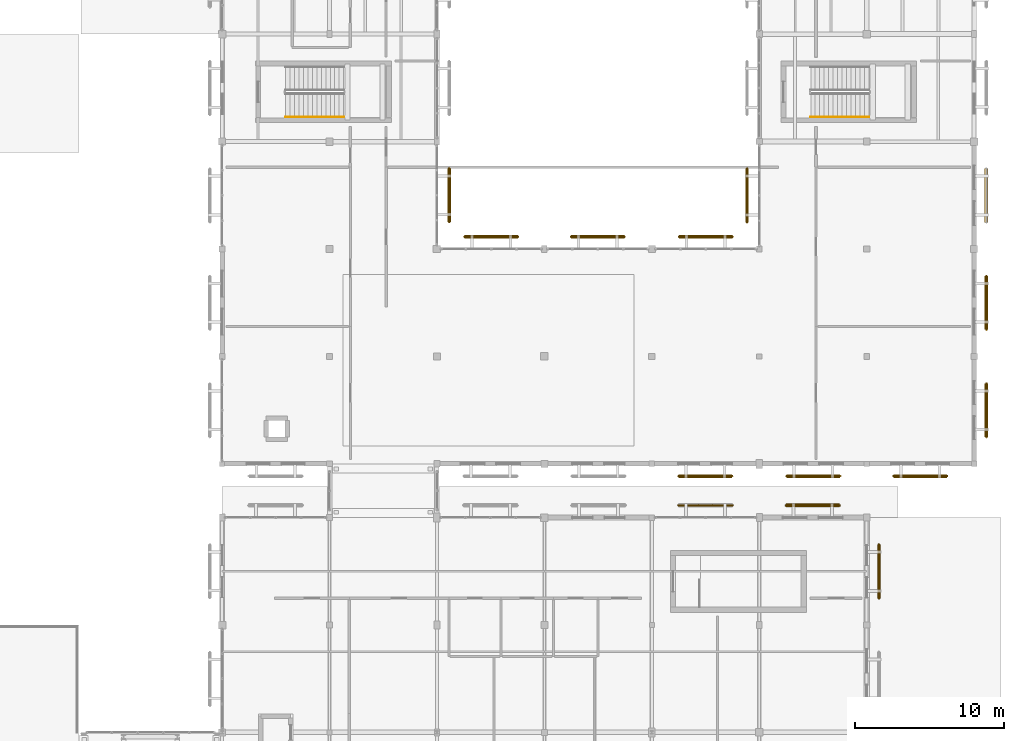
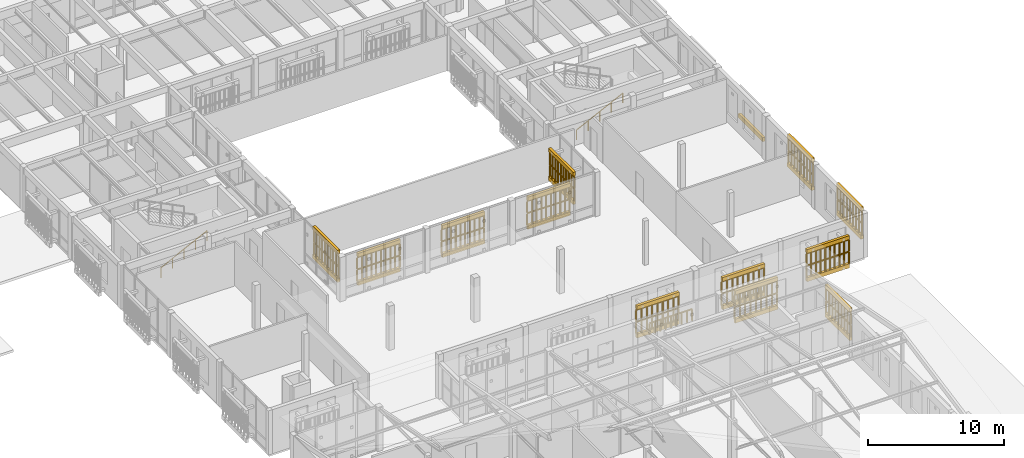
# One storey, part 107 of 112: 27 railings, 25 coverings.
"""IFC4 building model written with IfcOpenShell, lengths in metres."""

from ifc_helpers import new_model, si_unit, direction, frame, origin, origin_2d, place, context, subcontext, project, spatial, polyline, circle, outline, extrude, material, layer, layer_set, type_object, element, save


model = new_model("IFC4")

# Units and contexts
model_context = context("Model", 3, precision=1e-05, world=origin(), true_north=direction((0.0, 1.0)))
body_context = subcontext(model_context, "Body", "Model", "MODEL_VIEW")
ifc_project = project(units=[si_unit("LENGTHUNIT", "METRE"), si_unit("AREAUNIT", "SQUARE_METRE"), si_unit("VOLUMEUNIT", "CUBIC_METRE"), si_unit("PLANEANGLEUNIT", "RADIAN"), si_unit("MASSUNIT", "GRAM", prefix="KILO")], contexts=[model_context])

# Site, building, storey
site_placement = place(None, origin())
site = spatial("IfcSite", under=ifc_project, at=site_placement, CompositionType="ELEMENT")
building_placement = place(site_placement, origin())
building = spatial("IfcBuilding", under=site, at=building_placement, Name="Mazaris Harbour Polytechnic", CompositionType="ELEMENT")
storey_placement = place(building_placement, frame((0.0, 0.0, 13.800048828125)))
storey = spatial("IfcBuildingStorey", under=building, at=storey_placement, Name="L03", CompositionType="ELEMENT", Elevation=13.800048828125)

# Railings
ifc_material_1 = material(Name="Perforated Earth-Coloured Terracotta Block", Category="masonry")
railing_type_1 = type_object("IfcRailingType", Name="Perforated Earth-Block Claustra Lattice 1040", PredefinedType="BALUSTRADE", material=ifc_material_1)
for number, where, name in (
    (1, (152.9951171875, 44.02001953125, 1.60986328125), "V2 L03 Upper Perforated Terracotta Block Screen 98"),
    (2, (160.18505859375, 44.02001953125, 0.52001953125), "V2 L03 Lower Perforated Terracotta Block Screen 99"),
    (3, (160.18505859375, 44.02001953125, 1.60986328125), "V2 L03 Upper Perforated Terracotta Block Screen 99"),
):
    element("IfcRailing", number, at=place(storey_placement, frame(where)), inside=storey, type_object=railing_type_1, Name=name, PredefinedType="BALUSTRADE", context=body_context, shape_type="SweptSolid", body=[
        extrude(circle(Radius=0.06982421875, at=origin_2d()), frame((0.0, 0.0, 1.02001953125), z_axis=(1.0, 0.0, 0.0), x_axis=(0.0, 1.0, 0.0)), (0.0, 0.0, 1.0), 3.599853515625),
        extrude(circle(Radius=0.074951171875, at=origin_2d()), origin(), (0.0, 0.0, 1.0), 0.9501953125),
        extrude(circle(Radius=0.074951171875, at=origin_2d()), frame((0.449951171875, 0.0, 0.0)), (0.0, 0.0, 1.0), 0.9501953125),
        extrude(circle(Radius=0.074951171875, at=origin_2d()), frame((0.89990234375, 0.0, 0.0)), (0.0, 0.0, 1.0), 0.9501953125),
        extrude(circle(Radius=0.074951171875, at=origin_2d()), frame((1.349853515625, 0.0, 0.0)), (0.0, 0.0, 1.0), 0.9501953125),
        extrude(circle(Radius=0.074951171875, at=origin_2d()), frame((1.7998046875, 0.0, 0.0)), (0.0, 0.0, 1.0), 0.9501953125),
        extrude(circle(Radius=0.074951171875, at=origin_2d()), frame((2.25, 0.0, 0.0)), (0.0, 0.0, 1.0), 0.9501953125),
        extrude(circle(Radius=0.074951171875, at=origin_2d()), frame((2.699951171875, 0.0, 0.0)), (0.0, 0.0, 1.0), 0.9501953125),
        extrude(circle(Radius=0.074951171875, at=origin_2d()), frame((3.14990234375, 0.0, 0.0)), (0.0, 0.0, 1.0), 0.9501953125),
        extrude(circle(Radius=0.074951171875, at=origin_2d()), frame((3.599853515625, 0.0, 0.0)), (0.0, 0.0, 1.0), 0.9501953125),
    ])
for number, where, name in (
    (4, (166.419921875, 41.389892578125, 0.52001953125), "V2 L03 Lower Perforated Terracotta Block Screen 106"),
    (5, (166.419921875, 41.389892578125, 1.60986328125), "V2 L03 Upper Perforated Terracotta Block Screen 106"),
):
    element("IfcRailing", number, at=place(storey_placement, frame(where)), inside=storey, type_object=railing_type_1, Name=name, PredefinedType="BALUSTRADE", context=body_context, shape_type="SweptSolid", body=[
        extrude(circle(Radius=0.06982421875, at=origin_2d()), frame((0.0, 0.0, 1.02001953125), z_axis=(0.0, -1.0, 0.0), x_axis=(1.0, 0.0, 0.0)), (0.0, 0.0, 1.0), 3.599853515625),
        extrude(circle(Radius=0.074951171875, at=origin_2d()), origin(), (0.0, 0.0, 1.0), 0.9501953125),
        extrude(circle(Radius=0.074951171875, at=origin_2d()), frame((0.0, -0.449951171875, 0.0)), (0.0, 0.0, 1.0), 0.9501953125),
        extrude(circle(Radius=0.074951171875, at=origin_2d()), frame((0.0, -0.89990234375, 0.0)), (0.0, 0.0, 1.0), 0.9501953125),
        extrude(circle(Radius=0.074951171875, at=origin_2d()), frame((0.0, -1.349853515625, 0.0)), (0.0, 0.0, 1.0), 0.9501953125),
        extrude(circle(Radius=0.074951171875, at=origin_2d()), frame((0.0, -1.7998046875, 0.0)), (0.0, 0.0, 1.0), 0.9501953125),
        extrude(circle(Radius=0.074951171875, at=origin_2d()), frame((0.0, -2.25, 0.0)), (0.0, 0.0, 1.0), 0.9501953125),
        extrude(circle(Radius=0.074951171875, at=origin_2d()), frame((0.0, -2.699951171875, 0.0)), (0.0, 0.0, 1.0), 0.9501953125),
        extrude(circle(Radius=0.074951171875, at=origin_2d()), frame((0.0, -3.14990234375, 0.0)), (0.0, 0.0, 1.0), 0.9501953125),
        extrude(circle(Radius=0.074951171875, at=origin_2d()), frame((0.0, -3.599853515625, 0.0)), (0.0, 0.0, 1.0), 0.9501953125),
    ])
for number, where, name in (
    (6, (156.5849609375, 45.97998046875, 0.52001953125), "V5 L03 Lower Perforated Terracotta Block Screen 449"),
    (7, (156.5849609375, 45.97998046875, 1.60986328125), "V5 L03 Upper Perforated Terracotta Block Screen 449"),
    (8, (163.824951171875, 45.97998046875, 0.52001953125), "V5 L03 Lower Perforated Terracotta Block Screen 450"),
    (9, (163.824951171875, 45.97998046875, 1.60986328125), "V5 L03 Upper Perforated Terracotta Block Screen 450"),
):
    element("IfcRailing", number, at=place(storey_placement, frame(where)), inside=storey, type_object=railing_type_1, Name=name, PredefinedType="BALUSTRADE", context=body_context, shape_type="SweptSolid", body=[
        extrude(circle(Radius=0.06982421875, at=origin_2d()), frame((0.0, 0.0, 1.02001953125), z_axis=(-1.0, 0.0, 0.0), x_axis=(0.0, -1.0, 0.0)), (0.0, 0.0, 1.0), 3.599853515625),
        extrude(circle(Radius=0.074951171875, at=origin_2d()), origin(), (0.0, 0.0, 1.0), 0.9501953125),
        extrude(circle(Radius=0.074951171875, at=origin_2d()), frame((-0.449951171875, 0.0, 0.0)), (0.0, 0.0, 1.0), 0.9501953125),
        extrude(circle(Radius=0.074951171875, at=origin_2d()), frame((-0.89990234375, 0.0, 0.0)), (0.0, 0.0, 1.0), 0.9501953125),
        extrude(circle(Radius=0.074951171875, at=origin_2d()), frame((-1.349853515625, 0.0, 0.0)), (0.0, 0.0, 1.0), 0.9501953125),
        extrude(circle(Radius=0.074951171875, at=origin_2d()), frame((-1.7998046875, 0.0, 0.0)), (0.0, 0.0, 1.0), 0.9501953125),
        extrude(circle(Radius=0.074951171875, at=origin_2d()), frame((-2.25, 0.0, 0.0)), (0.0, 0.0, 1.0), 0.9501953125),
        extrude(circle(Radius=0.074951171875, at=origin_2d()), frame((-2.699951171875, 0.0, 0.0)), (0.0, 0.0, 1.0), 0.9501953125),
        extrude(circle(Radius=0.074951171875, at=origin_2d()), frame((-3.14990234375, 0.0, 0.0)), (0.0, 0.0, 1.0), 0.9501953125),
        extrude(circle(Radius=0.074951171875, at=origin_2d()), frame((-3.599853515625, 0.0, 0.0)), (0.0, 0.0, 1.0), 0.9501953125),
    ])
for number, where, name in (
    (10, (170.989990234375, 45.97998046875, 0.52001953125), "V5 L03 Lower Perforated Terracotta Block Screen 451"),
    (11, (170.989990234375, 45.97998046875, 1.60986328125), "V5 L03 Upper Perforated Terracotta Block Screen 451"),
):
    element("IfcRailing", number, at=place(storey_placement, frame(where)), inside=storey, type_object=railing_type_1, Name=name, PredefinedType="BALUSTRADE", context=body_context, shape_type="SweptSolid", body=[
        extrude(circle(Radius=0.06982421875, at=origin_2d()), frame((0.0, 0.0, 1.02001953125), z_axis=(-1.0, 0.0, 0.0), x_axis=(0.0, -1.0, 0.0)), (0.0, 0.0, 1.0), 3.60009765625),
        extrude(circle(Radius=0.074951171875, at=origin_2d()), origin(), (0.0, 0.0, 1.0), 0.9501953125),
        extrude(circle(Radius=0.074951171875, at=origin_2d()), frame((-0.39990234375, 0.0, 0.0)), (0.0, 0.0, 1.0), 0.9501953125),
        extrude(circle(Radius=0.074951171875, at=origin_2d()), frame((-0.800048828125, 0.0, 0.0)), (0.0, 0.0, 1.0), 0.9501953125),
        extrude(circle(Radius=0.074951171875, at=origin_2d()), frame((-1.199951171875, 0.0, 0.0)), (0.0, 0.0, 1.0), 0.9501953125),
        extrude(circle(Radius=0.074951171875, at=origin_2d()), frame((-1.60009765625, 0.0, 0.0)), (0.0, 0.0, 1.0), 0.9501953125),
        extrude(circle(Radius=0.074951171875, at=origin_2d()), frame((-2.0, 0.0, 0.0)), (0.0, 0.0, 1.0), 0.9501953125),
        extrude(circle(Radius=0.074951171875, at=origin_2d()), frame((-2.400146484375, 0.0, 0.0)), (0.0, 0.0, 1.0), 0.9501953125),
        extrude(circle(Radius=0.074951171875, at=origin_2d()), frame((-2.800048828125, 0.0, 0.0)), (0.0, 0.0, 1.0), 0.9501953125),
        extrude(circle(Radius=0.074951171875, at=origin_2d()), frame((-3.2001953125, 0.0, 0.0)), (0.0, 0.0, 1.0), 0.9501953125),
        extrude(circle(Radius=0.074951171875, at=origin_2d()), frame((-3.60009765625, 0.0, 0.0)), (0.0, 0.0, 1.0), 0.9501953125),
    ])
for number, where, name in (
    (12, (173.6201171875, 52.18994140625, 0.52001953125), "V5 L03 Lower Perforated Terracotta Block Screen 466"),
    (13, (173.6201171875, 52.18994140625, 1.60986328125), "V5 L03 Upper Perforated Terracotta Block Screen 466"),
    (14, (173.6201171875, 59.389892578125, 0.52001953125), "V5 L03 Lower Perforated Terracotta Block Screen 467"),
    (15, (173.6201171875, 59.389892578125, 1.60986328125), "V5 L03 Upper Perforated Terracotta Block Screen 467"),
):
    element("IfcRailing", number, at=place(storey_placement, frame(where)), inside=storey, type_object=railing_type_1, Name=name, PredefinedType="BALUSTRADE", context=body_context, shape_type="SweptSolid", body=[
        extrude(circle(Radius=0.06982421875, at=origin_2d()), frame((0.0, 0.0, 1.02001953125), z_axis=(0.0, -1.0, 0.0), x_axis=(1.0, 0.0, 0.0)), (0.0, 0.0, 1.0), 3.599853515625),
        extrude(circle(Radius=0.074951171875, at=origin_2d()), origin(), (0.0, 0.0, 1.0), 0.9501953125),
        extrude(circle(Radius=0.074951171875, at=origin_2d()), frame((0.0, -0.449951171875, 0.0)), (0.0, 0.0, 1.0), 0.9501953125),
        extrude(circle(Radius=0.074951171875, at=origin_2d()), frame((0.0, -0.89990234375, 0.0)), (0.0, 0.0, 1.0), 0.9501953125),
        extrude(circle(Radius=0.074951171875, at=origin_2d()), frame((0.0, -1.349853515625, 0.0)), (0.0, 0.0, 1.0), 0.9501953125),
        extrude(circle(Radius=0.074951171875, at=origin_2d()), frame((0.0, -1.7998046875, 0.0)), (0.0, 0.0, 1.0), 0.9501953125),
        extrude(circle(Radius=0.074951171875, at=origin_2d()), frame((0.0, -2.25, 0.0)), (0.0, 0.0, 1.0), 0.9501953125),
        extrude(circle(Radius=0.074951171875, at=origin_2d()), frame((0.0, -2.699951171875, 0.0)), (0.0, 0.0, 1.0), 0.9501953125),
        extrude(circle(Radius=0.074951171875, at=origin_2d()), frame((0.0, -3.14990234375, 0.0)), (0.0, 0.0, 1.0), 0.9501953125),
        extrude(circle(Radius=0.074951171875, at=origin_2d()), frame((0.0, -3.599853515625, 0.0)), (0.0, 0.0, 1.0), 0.9501953125),
    ])
for number, where, name in (
    (16, (138.635009765625, 62.02001953125, 0.52001953125), "V5 L03 Lower Perforated Terracotta Block Screen 473"),
    (17, (138.635009765625, 62.02001953125, 1.60986328125), "V5 L03 Upper Perforated Terracotta Block Screen 473"),
    (18, (145.77490234375, 62.02001953125, 0.52001953125), "V5 L03 Lower Perforated Terracotta Block Screen 474"),
    (19, (145.77490234375, 62.02001953125, 1.60986328125), "V5 L03 Upper Perforated Terracotta Block Screen 474"),
    (20, (153.02001953125, 62.02001953125, 0.52001953125), "V5 L03 Lower Perforated Terracotta Block Screen 475"),
    (21, (153.02001953125, 62.02001953125, 1.60986328125), "V5 L03 Upper Perforated Terracotta Block Screen 475"),
):
    element("IfcRailing", number, at=place(storey_placement, frame(where)), inside=storey, type_object=railing_type_1, Name=name, PredefinedType="BALUSTRADE", context=body_context, shape_type="SweptSolid", body=[
        extrude(circle(Radius=0.06982421875, at=origin_2d()), frame((0.0, 0.0, 1.02001953125), z_axis=(1.0, 0.0, 0.0), x_axis=(0.0, 1.0, 0.0)), (0.0, 0.0, 1.0), 3.60009765625),
        extrude(circle(Radius=0.074951171875, at=origin_2d()), origin(), (0.0, 0.0, 1.0), 0.9501953125),
        extrude(circle(Radius=0.074951171875, at=origin_2d()), frame((0.39990234375, 0.0, 0.0)), (0.0, 0.0, 1.0), 0.9501953125),
        extrude(circle(Radius=0.074951171875, at=origin_2d()), frame((0.800048828125, 0.0, 0.0)), (0.0, 0.0, 1.0), 0.9501953125),
        extrude(circle(Radius=0.074951171875, at=origin_2d()), frame((1.199951171875, 0.0, 0.0)), (0.0, 0.0, 1.0), 0.9501953125),
        extrude(circle(Radius=0.074951171875, at=origin_2d()), frame((1.60009765625, 0.0, 0.0)), (0.0, 0.0, 1.0), 0.9501953125),
        extrude(circle(Radius=0.074951171875, at=origin_2d()), frame((2.0, 0.0, 0.0)), (0.0, 0.0, 1.0), 0.9501953125),
        extrude(circle(Radius=0.074951171875, at=origin_2d()), frame((2.400146484375, 0.0, 0.0)), (0.0, 0.0, 1.0), 0.9501953125),
        extrude(circle(Radius=0.074951171875, at=origin_2d()), frame((2.800048828125, 0.0, 0.0)), (0.0, 0.0, 1.0), 0.9501953125),
        extrude(circle(Radius=0.074951171875, at=origin_2d()), frame((3.2001953125, 0.0, 0.0)), (0.0, 0.0, 1.0), 0.9501953125),
        extrude(circle(Radius=0.074951171875, at=origin_2d()), frame((3.60009765625, 0.0, 0.0)), (0.0, 0.0, 1.0), 0.9501953125),
    ])
for number, where, name in (
    (22, (137.6201171875, 63.0048828125, 0.52001953125), "V5 L03 Lower Perforated Terracotta Block Screen 479"),
    (23, (137.6201171875, 63.0048828125, 1.60986328125), "V5 L03 Upper Perforated Terracotta Block Screen 479"),
):
    element("IfcRailing", number, at=place(storey_placement, frame(where)), inside=storey, type_object=railing_type_1, Name=name, PredefinedType="BALUSTRADE", context=body_context, shape_type="SweptSolid", body=[
        extrude(circle(Radius=0.06982421875, at=origin_2d()), frame((0.0, 0.0, 1.02001953125), z_axis=(0.0, 1.0, 0.0), x_axis=(-1.0, 0.0, 0.0)), (0.0, 0.0, 1.0), 3.60009765625),
        extrude(circle(Radius=0.074951171875, at=origin_2d()), origin(), (0.0, 0.0, 1.0), 0.9501953125),
        extrude(circle(Radius=0.074951171875, at=origin_2d()), frame((0.0, 0.39990234375, 0.0)), (0.0, 0.0, 1.0), 0.9501953125),
        extrude(circle(Radius=0.074951171875, at=origin_2d()), frame((0.0, 0.800048828125, 0.0)), (0.0, 0.0, 1.0), 0.9501953125),
        extrude(circle(Radius=0.074951171875, at=origin_2d()), frame((0.0, 1.199951171875, 0.0)), (0.0, 0.0, 1.0), 0.9501953125),
        extrude(circle(Radius=0.074951171875, at=origin_2d()), frame((0.0, 1.60009765625, 0.0)), (0.0, 0.0, 1.0), 0.9501953125),
        extrude(circle(Radius=0.074951171875, at=origin_2d()), frame((0.0, 2.0, 0.0)), (0.0, 0.0, 1.0), 0.9501953125),
        extrude(circle(Radius=0.074951171875, at=origin_2d()), frame((0.0, 2.400146484375, 0.0)), (0.0, 0.0, 1.0), 0.9501953125),
        extrude(circle(Radius=0.074951171875, at=origin_2d()), frame((0.0, 2.800048828125, 0.0)), (0.0, 0.0, 1.0), 0.9501953125),
        extrude(circle(Radius=0.074951171875, at=origin_2d()), frame((0.0, 3.2001953125, 0.0)), (0.0, 0.0, 1.0), 0.9501953125),
        extrude(circle(Radius=0.074951171875, at=origin_2d()), frame((0.0, 3.60009765625, 0.0)), (0.0, 0.0, 1.0), 0.9501953125),
    ])
for number, where, name in (
    (24, (157.580078125, 66.590087890625, 0.52001953125), "V5 L03 Lower Perforated Terracotta Block Screen 482"),
    (25, (157.580078125, 66.590087890625, 1.60986328125), "V5 L03 Upper Perforated Terracotta Block Screen 482"),
):
    element("IfcRailing", number, at=place(storey_placement, frame(where)), inside=storey, type_object=railing_type_1, Name=name, PredefinedType="BALUSTRADE", context=body_context, shape_type="SweptSolid", body=[
        extrude(circle(Radius=0.06982421875, at=origin_2d()), frame((0.0, 0.0, 1.02001953125), z_axis=(0.0, -1.0, 0.0), x_axis=(1.0, 0.0, 0.0)), (0.0, 0.0, 1.0), 3.60009765625),
        extrude(circle(Radius=0.074951171875, at=origin_2d()), origin(), (0.0, 0.0, 1.0), 0.9501953125),
        extrude(circle(Radius=0.074951171875, at=origin_2d()), frame((0.0, -0.39990234375, 0.0)), (0.0, 0.0, 1.0), 0.9501953125),
        extrude(circle(Radius=0.074951171875, at=origin_2d()), frame((0.0, -0.800048828125, 0.0)), (0.0, 0.0, 1.0), 0.9501953125),
        extrude(circle(Radius=0.074951171875, at=origin_2d()), frame((0.0, -1.199951171875, 0.0)), (0.0, 0.0, 1.0), 0.9501953125),
        extrude(circle(Radius=0.074951171875, at=origin_2d()), frame((0.0, -1.60009765625, 0.0)), (0.0, 0.0, 1.0), 0.9501953125),
        extrude(circle(Radius=0.074951171875, at=origin_2d()), frame((0.0, -2.0, 0.0)), (0.0, 0.0, 1.0), 0.9501953125),
        extrude(circle(Radius=0.074951171875, at=origin_2d()), frame((0.0, -2.400146484375, 0.0)), (0.0, 0.0, 1.0), 0.9501953125),
        extrude(circle(Radius=0.074951171875, at=origin_2d()), frame((0.0, -2.800048828125, 0.0)), (0.0, 0.0, 1.0), 0.9501953125),
        extrude(circle(Radius=0.074951171875, at=origin_2d()), frame((0.0, -3.2001953125, 0.0)), (0.0, 0.0, 1.0), 0.9501953125),
        extrude(circle(Radius=0.074951171875, at=origin_2d()), frame((0.0, -3.60009765625, 0.0)), (0.0, 0.0, 1.0), 0.9501953125),
    ])
ifc_material_2 = material(Name="Stainless Steel S355", Category="steel")
railing_type_2 = type_object("IfcRailingType", Name="Stair Wall Handrail 900", PredefinedType="HANDRAIL", material=ifc_material_2)
railing_1_placement = place(storey_placement, frame((126.64990234375, 70.050048828125, 0.14990234375)))
element("IfcRailing", 26, at=railing_1_placement, inside=storey, type_object=railing_type_2, Name="L03 ST09 stair handrail 1", PredefinedType="HANDRAIL", context=body_context, shape_type="SweptSolid", body=[
    extrude(circle(Radius=0.02392578125, at=origin_2d()), frame((0.0, 0.0, 0.8759765625), z_axis=(0.894438388696, 0.0, 0.447191199406), x_axis=(0.0, 1.0, 0.0)), (0.0, 0.0, 1.0), 4.3603515625),
    extrude(circle(Radius=0.02099609375, at=origin_2d()), origin(), (0.0, 0.0, 1.0), 0.851806640625),
    extrude(circle(Radius=0.02099609375, at=origin_2d()), frame((0.97509765625, 0.0, 0.487548828125)), (0.0, 0.0, 1.0), 0.851806640625),
    extrude(circle(Radius=0.02099609375, at=origin_2d()), frame((1.9501953125, 0.0, 0.97509765625)), (0.0, 0.0, 1.0), 0.851806640625),
    extrude(circle(Radius=0.02099609375, at=origin_2d()), frame((2.925048828125, 0.0, 1.46240234375)), (0.0, 0.0, 1.0), 0.851806640625),
    extrude(circle(Radius=0.02099609375, at=origin_2d()), frame((3.900146484375, 0.0, 1.949951171875)), (0.0, 0.0, 1.0), 0.851806640625),
])
railing_2_placement = place(storey_placement, frame((161.85009765625, 70.050048828125, 0.14990234375)))
element("IfcRailing", 27, at=railing_2_placement, inside=storey, type_object=railing_type_2, Name="L03 ST10 stair handrail 1", PredefinedType="HANDRAIL", context=body_context, shape_type="SweptSolid", body=[
    extrude(circle(Radius=0.02392578125, at=origin_2d()), frame((0.0, 0.0, 0.8759765625), z_axis=(0.894427191, 0.0, 0.4472135955), x_axis=(0.0, 1.0, 0.0)), (0.0, 0.0, 1.0), 4.360107421875),
    extrude(circle(Radius=0.02099609375, at=origin_2d()), origin(), (0.0, 0.0, 1.0), 0.851806640625),
    extrude(circle(Radius=0.02099609375, at=origin_2d()), frame((0.97509765625, 0.0, 0.487548828125)), (0.0, 0.0, 1.0), 0.851806640625),
    extrude(circle(Radius=0.02099609375, at=origin_2d()), frame((1.949951171875, 0.0, 0.97509765625)), (0.0, 0.0, 1.0), 0.851806640625),
    extrude(circle(Radius=0.02099609375, at=origin_2d()), frame((2.9248046875, 0.0, 1.46240234375)), (0.0, 0.0, 1.0), 0.851806640625),
    extrude(circle(Radius=0.02099609375, at=origin_2d()), frame((3.89990234375, 0.0, 1.949951171875)), (0.0, 0.0, 1.0), 0.851806640625),
])

# Coverings
ifc_material_3 = material(Name="Perforated Earth-Coloured Terracotta Block", Category="masonry")
ifc_layer = layer(ifc_material_3, 0.219970703125, Name="Perforated Earth-Coloured Terracotta Block")
ifc_layer_set = layer_set([ifc_layer], Name="Perforated Earth-Coloured Terracotta Block")
covering_type = type_object("IfcCoveringType", Name="Terracotta Screen Course Cladding 220", PredefinedType="CLADDING", material=ifc_layer_set)
covering_1_placement = place(storey_placement, frame((0.0, 0.0, 0.159912109375)))
element("IfcCovering", 28, at=covering_1_placement, inside=storey, type_object=covering_type, Name="V2 L03 Perforated Screen Sill Course 99", PredefinedType="CLADDING", context=body_context, shape_type="SweptSolid", body=[
    extrude(outline(polyline([(160.18505859375, 43.909912109375), (163.784912109375, 43.909912109375), (163.784912109375, 44.1298828125), (160.18505859375, 44.1298828125), (160.18505859375, 43.909912109375)])), origin(), (0.0, 0.0, 1.0), 0.360107421875),
])
covering_2_placement = place(storey_placement, frame((0.0, 0.0, 2.699951171875)))
element("IfcCovering", 29, at=covering_2_placement, inside=storey, type_object=covering_type, Name="V2 L03 Perforated Screen Lintel Course 99", PredefinedType="CLADDING", context=body_context, shape_type="SweptSolid", body=[
    extrude(outline(polyline([(160.18505859375, 43.909912109375), (163.784912109375, 43.909912109375), (163.784912109375, 44.1298828125), (160.18505859375, 44.1298828125), (160.18505859375, 43.909912109375)])), origin(), (0.0, 0.0, 1.0), 0.340087890625),
])
covering_3_placement = place(storey_placement, frame((0.0, 0.0, 0.159912109375)))
element("IfcCovering", 30, at=covering_3_placement, inside=storey, type_object=covering_type, Name="V2 L03 Perforated Screen Sill Course 106", PredefinedType="CLADDING", context=body_context, shape_type="SweptSolid", body=[
    extrude(outline(polyline([(166.31005859375, 41.389892578125), (166.31005859375, 37.7900390625), (166.530029296875, 37.7900390625), (166.530029296875, 41.389892578125), (166.31005859375, 41.389892578125)])), origin(), (0.0, 0.0, 1.0), 0.360107421875),
])
covering_4_placement = place(storey_placement, frame((0.0, 0.0, 2.699951171875)))
element("IfcCovering", 31, at=covering_4_placement, inside=storey, type_object=covering_type, Name="V2 L03 Perforated Screen Lintel Course 106", PredefinedType="CLADDING", context=body_context, shape_type="SweptSolid", body=[
    extrude(outline(polyline([(166.31005859375, 41.389892578125), (166.31005859375, 37.7900390625), (166.530029296875, 37.7900390625), (166.530029296875, 41.389892578125), (166.31005859375, 41.389892578125)])), origin(), (0.0, 0.0, 1.0), 0.340087890625),
])
covering_5_placement = place(storey_placement, frame((0.0, 0.0, 0.159912109375)))
element("IfcCovering", 32, at=covering_5_placement, inside=storey, type_object=covering_type, Name="V5 L03 Perforated Screen Sill Course 449", PredefinedType="CLADDING", context=body_context, shape_type="SweptSolid", body=[
    extrude(outline(polyline([(156.5849609375, 46.090087890625), (152.985107421875, 46.090087890625), (152.985107421875, 45.8701171875), (156.5849609375, 45.8701171875), (156.5849609375, 46.090087890625)])), origin(), (0.0, 0.0, 1.0), 0.360107421875),
])
covering_6_placement = place(storey_placement, frame((0.0, 0.0, 2.699951171875)))
element("IfcCovering", 33, at=covering_6_placement, inside=storey, type_object=covering_type, Name="V5 L03 Perforated Screen Lintel Course 449", PredefinedType="CLADDING", context=body_context, shape_type="SweptSolid", body=[
    extrude(outline(polyline([(156.5849609375, 46.090087890625), (152.985107421875, 46.090087890625), (152.985107421875, 45.8701171875), (156.5849609375, 45.8701171875), (156.5849609375, 46.090087890625)])), origin(), (0.0, 0.0, 1.0), 0.340087890625),
])
covering_7_placement = place(storey_placement, frame((0.0, 0.0, 0.159912109375)))
element("IfcCovering", 34, at=covering_7_placement, inside=storey, type_object=covering_type, Name="V5 L03 Perforated Screen Sill Course 450", PredefinedType="CLADDING", context=body_context, shape_type="SweptSolid", body=[
    extrude(outline(polyline([(163.824951171875, 46.090087890625), (160.22509765625, 46.090087890625), (160.22509765625, 45.8701171875), (163.824951171875, 45.8701171875), (163.824951171875, 46.090087890625)])), origin(), (0.0, 0.0, 1.0), 0.360107421875),
])
covering_8_placement = place(storey_placement, frame((0.0, 0.0, 2.699951171875)))
element("IfcCovering", 35, at=covering_8_placement, inside=storey, type_object=covering_type, Name="V5 L03 Perforated Screen Lintel Course 450", PredefinedType="CLADDING", context=body_context, shape_type="SweptSolid", body=[
    extrude(outline(polyline([(163.824951171875, 46.090087890625), (160.22509765625, 46.090087890625), (160.22509765625, 45.8701171875), (163.824951171875, 45.8701171875), (163.824951171875, 46.090087890625)])), origin(), (0.0, 0.0, 1.0), 0.340087890625),
])
covering_9_placement = place(storey_placement, frame((0.0, 0.0, 0.159912109375)))
element("IfcCovering", 36, at=covering_9_placement, inside=storey, type_object=covering_type, Name="V5 L03 Perforated Screen Sill Course 451", PredefinedType="CLADDING", context=body_context, shape_type="SweptSolid", body=[
    extrude(outline(polyline([(170.989990234375, 46.090087890625), (167.389892578125, 46.090087890625), (167.389892578125, 45.8701171875), (170.989990234375, 45.8701171875), (170.989990234375, 46.090087890625)])), origin(), (0.0, 0.0, 1.0), 0.360107421875),
])
covering_10_placement = place(storey_placement, frame((0.0, 0.0, 2.699951171875)))
element("IfcCovering", 37, at=covering_10_placement, inside=storey, type_object=covering_type, Name="V5 L03 Perforated Screen Lintel Course 451", PredefinedType="CLADDING", context=body_context, shape_type="SweptSolid", body=[
    extrude(outline(polyline([(170.989990234375, 46.090087890625), (167.389892578125, 46.090087890625), (167.389892578125, 45.8701171875), (170.989990234375, 45.8701171875), (170.989990234375, 46.090087890625)])), origin(), (0.0, 0.0, 1.0), 0.340087890625),
])
covering_11_placement = place(storey_placement, frame((0.0, 0.0, 0.159912109375)))
element("IfcCovering", 38, at=covering_11_placement, inside=storey, type_object=covering_type, Name="V5 L03 Perforated Screen Sill Course 466", PredefinedType="CLADDING", context=body_context, shape_type="SweptSolid", body=[
    extrude(outline(polyline([(173.510009765625, 52.18994140625), (173.510009765625, 48.590087890625), (173.72998046875, 48.590087890625), (173.72998046875, 52.18994140625), (173.510009765625, 52.18994140625)])), origin(), (0.0, 0.0, 1.0), 0.360107421875),
])
covering_12_placement = place(storey_placement, frame((0.0, 0.0, 2.699951171875)))
element("IfcCovering", 39, at=covering_12_placement, inside=storey, type_object=covering_type, Name="V5 L03 Perforated Screen Lintel Course 466", PredefinedType="CLADDING", context=body_context, shape_type="SweptSolid", body=[
    extrude(outline(polyline([(173.510009765625, 52.18994140625), (173.510009765625, 48.590087890625), (173.72998046875, 48.590087890625), (173.72998046875, 52.18994140625), (173.510009765625, 52.18994140625)])), origin(), (0.0, 0.0, 1.0), 0.340087890625),
])
covering_13_placement = place(storey_placement, frame((0.0, 0.0, 0.159912109375)))
element("IfcCovering", 40, at=covering_13_placement, inside=storey, type_object=covering_type, Name="V5 L03 Perforated Screen Sill Course 467", PredefinedType="CLADDING", context=body_context, shape_type="SweptSolid", body=[
    extrude(outline(polyline([(173.510009765625, 59.389892578125), (173.510009765625, 55.7900390625), (173.72998046875, 55.7900390625), (173.72998046875, 59.389892578125), (173.510009765625, 59.389892578125)])), origin(), (0.0, 0.0, 1.0), 0.360107421875),
])
covering_14_placement = place(storey_placement, frame((0.0, 0.0, 2.699951171875)))
element("IfcCovering", 41, at=covering_14_placement, inside=storey, type_object=covering_type, Name="V5 L03 Perforated Screen Lintel Course 467", PredefinedType="CLADDING", context=body_context, shape_type="SweptSolid", body=[
    extrude(outline(polyline([(173.510009765625, 59.389892578125), (173.510009765625, 55.7900390625), (173.72998046875, 55.7900390625), (173.72998046875, 59.389892578125), (173.510009765625, 59.389892578125)])), origin(), (0.0, 0.0, 1.0), 0.340087890625),
])
covering_15_placement = place(storey_placement, frame((0.0, 0.0, 0.159912109375)))
element("IfcCovering", 42, at=covering_15_placement, inside=storey, type_object=covering_type, Name="V5 L03 Perforated Screen Sill Course 468", PredefinedType="CLADDING", context=body_context, shape_type="SweptSolid", body=[
    extrude(outline(polyline([(173.510009765625, 66.590087890625), (173.510009765625, 62.989990234375), (173.72998046875, 62.989990234375), (173.72998046875, 66.590087890625), (173.510009765625, 66.590087890625)])), origin(), (0.0, 0.0, 1.0), 0.360107421875),
])
covering_16_placement = place(storey_placement, frame((0.0, 0.0, 0.159912109375)))
element("IfcCovering", 43, at=covering_16_placement, inside=storey, type_object=covering_type, Name="V5 L03 Perforated Screen Sill Course 473", PredefinedType="CLADDING", context=body_context, shape_type="SweptSolid", body=[
    extrude(outline(polyline([(138.635009765625, 61.909912109375), (142.235107421875, 61.909912109375), (142.235107421875, 62.1298828125), (138.635009765625, 62.1298828125), (138.635009765625, 61.909912109375)])), origin(), (0.0, 0.0, 1.0), 0.360107421875),
])
covering_17_placement = place(storey_placement, frame((0.0, 0.0, 2.699951171875)))
element("IfcCovering", 44, at=covering_17_placement, inside=storey, type_object=covering_type, Name="V5 L03 Perforated Screen Lintel Course 473", PredefinedType="CLADDING", context=body_context, shape_type="SweptSolid", body=[
    extrude(outline(polyline([(138.635009765625, 61.909912109375), (142.235107421875, 61.909912109375), (142.235107421875, 62.1298828125), (138.635009765625, 62.1298828125), (138.635009765625, 61.909912109375)])), origin(), (0.0, 0.0, 1.0), 0.340087890625),
])
covering_18_placement = place(storey_placement, frame((0.0, 0.0, 0.159912109375)))
element("IfcCovering", 45, at=covering_18_placement, inside=storey, type_object=covering_type, Name="V5 L03 Perforated Screen Sill Course 474", PredefinedType="CLADDING", context=body_context, shape_type="SweptSolid", body=[
    extrude(outline(polyline([(145.77490234375, 61.909912109375), (149.375, 61.909912109375), (149.375, 62.1298828125), (145.77490234375, 62.1298828125), (145.77490234375, 61.909912109375)])), origin(), (0.0, 0.0, 1.0), 0.360107421875),
])
covering_19_placement = place(storey_placement, frame((0.0, 0.0, 2.699951171875)))
element("IfcCovering", 46, at=covering_19_placement, inside=storey, type_object=covering_type, Name="V5 L03 Perforated Screen Lintel Course 474", PredefinedType="CLADDING", context=body_context, shape_type="SweptSolid", body=[
    extrude(outline(polyline([(145.77490234375, 61.909912109375), (149.375, 61.909912109375), (149.375, 62.1298828125), (145.77490234375, 62.1298828125), (145.77490234375, 61.909912109375)])), origin(), (0.0, 0.0, 1.0), 0.340087890625),
])
covering_20_placement = place(storey_placement, frame((0.0, 0.0, 0.159912109375)))
element("IfcCovering", 47, at=covering_20_placement, inside=storey, type_object=covering_type, Name="V5 L03 Perforated Screen Sill Course 475", PredefinedType="CLADDING", context=body_context, shape_type="SweptSolid", body=[
    extrude(outline(polyline([(153.02001953125, 61.909912109375), (156.6201171875, 61.909912109375), (156.6201171875, 62.1298828125), (153.02001953125, 62.1298828125), (153.02001953125, 61.909912109375)])), origin(), (0.0, 0.0, 1.0), 0.360107421875),
])
covering_21_placement = place(storey_placement, frame((0.0, 0.0, 2.699951171875)))
element("IfcCovering", 48, at=covering_21_placement, inside=storey, type_object=covering_type, Name="V5 L03 Perforated Screen Lintel Course 475", PredefinedType="CLADDING", context=body_context, shape_type="SweptSolid", body=[
    extrude(outline(polyline([(153.02001953125, 61.909912109375), (156.6201171875, 61.909912109375), (156.6201171875, 62.1298828125), (153.02001953125, 62.1298828125), (153.02001953125, 61.909912109375)])), origin(), (0.0, 0.0, 1.0), 0.340087890625),
])
covering_22_placement = place(storey_placement, frame((0.0, 0.0, 0.159912109375)))
element("IfcCovering", 49, at=covering_22_placement, inside=storey, type_object=covering_type, Name="V5 L03 Perforated Screen Sill Course 479", PredefinedType="CLADDING", context=body_context, shape_type="SweptSolid", body=[
    extrude(outline(polyline([(137.510009765625, 63.0048828125), (137.510009765625, 66.60498046875), (137.72998046875, 66.60498046875), (137.72998046875, 63.0048828125), (137.510009765625, 63.0048828125)])), origin(), (0.0, 0.0, 1.0), 0.360107421875),
])
covering_23_placement = place(storey_placement, frame((0.0, 0.0, 2.699951171875)))
element("IfcCovering", 50, at=covering_23_placement, inside=storey, type_object=covering_type, Name="V5 L03 Perforated Screen Lintel Course 479", PredefinedType="CLADDING", context=body_context, shape_type="SweptSolid", body=[
    extrude(outline(polyline([(137.510009765625, 63.0048828125), (137.510009765625, 66.60498046875), (137.72998046875, 66.60498046875), (137.72998046875, 63.0048828125), (137.510009765625, 63.0048828125)])), origin(), (0.0, 0.0, 1.0), 0.340087890625),
])
covering_24_placement = place(storey_placement, frame((0.0, 0.0, 0.159912109375)))
element("IfcCovering", 51, at=covering_24_placement, inside=storey, type_object=covering_type, Name="V5 L03 Perforated Screen Sill Course 482", PredefinedType="CLADDING", context=body_context, shape_type="SweptSolid", body=[
    extrude(outline(polyline([(157.68994140625, 66.590087890625), (157.68994140625, 62.989990234375), (157.469970703125, 62.989990234375), (157.469970703125, 66.590087890625), (157.68994140625, 66.590087890625)])), origin(), (0.0, 0.0, 1.0), 0.360107421875),
])
covering_25_placement = place(storey_placement, frame((0.0, 0.0, 2.699951171875)))
element("IfcCovering", 52, at=covering_25_placement, inside=storey, type_object=covering_type, Name="V5 L03 Perforated Screen Lintel Course 482", PredefinedType="CLADDING", context=body_context, shape_type="SweptSolid", body=[
    extrude(outline(polyline([(157.68994140625, 66.590087890625), (157.68994140625, 62.989990234375), (157.469970703125, 62.989990234375), (157.469970703125, 66.590087890625), (157.68994140625, 66.590087890625)])), origin(), (0.0, 0.0, 1.0), 0.340087890625),
])

save(model, "model.ifc")
